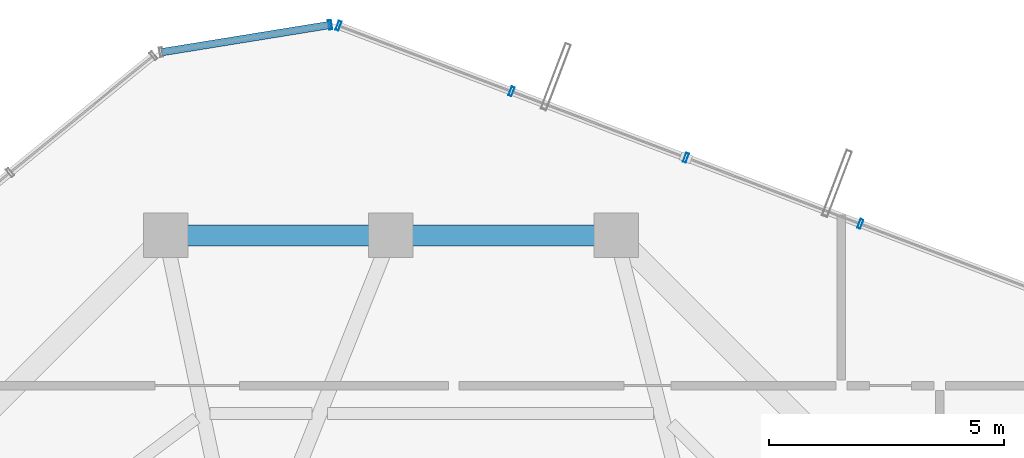
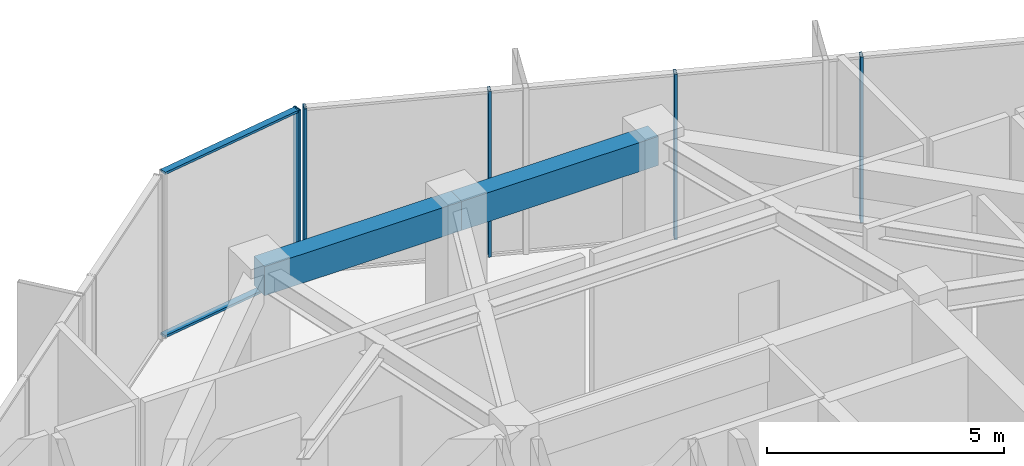
# One storey, part 15 of 22: 7 members, 2 beams, 2 elements without a shape of their own.
"""IFC4 building model written with IfcOpenShell, lengths in metres."""

from ifc_helpers import new_model, si_unit, direction, frame, origin, origin_2d, place, context, subcontext, project, spatial, rectangle, hollow_rectangle, extrude, source, transform, mapped, material, layer, layer_set, material_profile, profile_set, type_object, element, aggregate, save


model = new_model("IFC4")

# Units and contexts
model_context = context("Model", 3, precision=1e-05, world=origin(), true_north=direction((0.0, 1.0)))
body_context = subcontext(model_context, "Body", "Model", "MODEL_VIEW")
ifc_project = project(units=[si_unit("LENGTHUNIT", "METRE"), si_unit("AREAUNIT", "SQUARE_METRE"), si_unit("VOLUMEUNIT", "CUBIC_METRE"), si_unit("PLANEANGLEUNIT", "RADIAN"), si_unit("MASSUNIT", "GRAM", prefix="KILO")], contexts=[model_context])

# Site, building, storey
site_placement = place(None, origin())
site = spatial("IfcSite", under=ifc_project, at=site_placement, CompositionType="ELEMENT")
building_placement = place(site_placement, origin())
building = spatial("IfcBuilding", under=site, at=building_placement, Name="Veraguas Prism Commons", CompositionType="ELEMENT")
storey_placement = place(building_placement, frame((0.0, 0.0, 174.35009765625)))
storey = spatial("IfcBuildingStorey", under=building, at=storey_placement, Name="L49", CompositionType="ELEMENT", Elevation=174.35009765625)

# Beams
ifc_material_1 = material(Name="Concrete C50/60", Category="concrete")
ifc_material_profile_1 = material_profile(ifc_material_1, rectangle(XDim=0.449951171875, YDim=0.75, at=origin_2d()), Name="RC450X750")
ifc_profile_set_1 = profile_set([ifc_material_profile_1], Name="Concrete C50/60")
beam_type = type_object("IfcBeamType", Name="Perimeter Spandrel Upper RC 450x750", PredefinedType="SPANDREL", material=ifc_profile_set_1)
for number, where, z_axis, x_axis, name in (
    (1, (28.800048828125, 38.89990234375, 3.889892578125), (-1.0, 0.0, 0.0), (0.0, -1.0, 0.0), "Perimeter Spandrel Beam L49-SP04"),
    (2, (24.0, 38.89990234375, 3.889892578125), (-1.0, 0.0, 0.0), (0.0, -1.0, 0.0), "Perimeter Spandrel Beam L49-SP05"),
):
    element("IfcBeam", number, at=place(storey_placement, frame(where, z_axis=z_axis, x_axis=x_axis)), inside=storey, type_object=beam_type, Name=name, PredefinedType="SPANDREL", context=body_context, shape_type="SweptSolid", body=[
        extrude(rectangle(XDim=0.449951171875, YDim=0.75, at=origin_2d()), origin(), (0.0, 0.0, 1.0), 4.800048828125),
    ])

# Curtain wall, members
ifc_material_2 = material(Name="Anodised aluminium EN AW-6063 T6", Category="aluminium")
ifc_layer = layer(ifc_material_2, 0.199951171875, Name="Sky Lobby and Pool Acoustic Curtain Wall", Category="aluminium")
ifc_layer_set = layer_set([ifc_layer], Name="Anodised aluminium EN AW-6063 T6")
curtain_wall_type = type_object("IfcCurtainWallType", Name="Sky Lobby and Pool Acoustic Curtain Wall", PredefinedType="NOTDEFINED", material=ifc_layer_set)
curtain_wall_1_placement = place(storey_placement, origin())
curtain_wall_1 = element("IfcCurtainWall", 3, at=curtain_wall_1_placement, inside=storey, type_object=curtain_wall_type, Name="Tower Facade Curtain Wall L49-F1", PredefinedType="NOTDEFINED")
ifc_material_profile_2 = material_profile(ifc_material_2, hollow_rectangle(XDim=0.06494140625, YDim=0.199951171875, WallThickness=0.00390625, at=origin_2d()), Name="AL65X200X4")
ifc_profile_set_2 = profile_set([ifc_material_profile_2], Name="Anodised aluminium EN AW-6063 T6")
member_type_1 = type_object("IfcMemberType", Name="Curtain Wall Mullion Heavy AL 65x200x4", PredefinedType="MULLION", material=ifc_profile_set_2)
shared_shape_1 = source(origin(), body_context, "Body", "SweptSolid", [
    extrude(hollow_rectangle(XDim=0.06494140625, YDim=0.199951171875, WallThickness=0.00390625, at=origin_2d()), origin(), (0.0, 0.0, 1.0), 4.264892578125),
])
member_1_placement = place(storey_placement, frame((34.005615234375, 39.144287109375, 0.0), z_axis=(0.0, 0.0, 1.0), x_axis=(-0.934825056616, 0.355108593986, 0.0)))
member_1 = element("IfcMember", 4, at=member_1_placement, type_object=member_type_1, Name="CW-SKY Mullion 2", PredefinedType="MULLION", context=body_context, shape_type="MappedRepresentation", body=[
    mapped(shared_shape_1, transform((0.0, 0.0, 0.0), scale=1.0)),
])
member_2_placement = place(storey_placement, frame((30.2890625, 40.555908203125, 0.0), z_axis=(0.0, 0.0, 1.0), x_axis=(-0.934825056616, 0.355108593986, 0.0)))
member_2 = element("IfcMember", 5, at=member_2_placement, type_object=member_type_1, Name="CW-SKY Mullion 3", PredefinedType="MULLION", context=body_context, shape_type="MappedRepresentation", body=[
    mapped(shared_shape_1, transform((0.0, 0.0, 0.0), scale=1.0)),
])
member_3_placement = place(storey_placement, frame((26.572509765625, 41.9677734375, 0.0), z_axis=(0.0, 0.0, 1.0), x_axis=(-0.934825056616, 0.355108593986, 0.0)))
member_3 = element("IfcMember", 6, at=member_3_placement, type_object=member_type_1, Name="CW-SKY Mullion 4", PredefinedType="MULLION", context=body_context, shape_type="MappedRepresentation", body=[
    mapped(shared_shape_1, transform((0.0, 0.0, 0.0), scale=1.0)),
])
member_4_placement = place(storey_placement, frame((22.886474609375, 43.367919921875, 0.0), z_axis=(0.0, 0.0, 1.0), x_axis=(-0.934825056616, 0.355108593986, 0.0)))
member_4 = element("IfcMember", 7, at=member_4_placement, type_object=member_type_1, Name="CW-SKY Mullion 5", PredefinedType="MULLION", context=body_context, shape_type="MappedRepresentation", body=[
    mapped(shared_shape_1, transform((0.0, 0.0, 0.0), scale=1.0)),
])
aggregate(curtain_wall_1, [member_1, member_2, member_3, member_4])

curtain_wall_2_placement = place(storey_placement, origin())
curtain_wall_2 = element("IfcCurtainWall", 8, at=curtain_wall_2_placement, inside=storey, type_object=curtain_wall_type, Name="Chamfer Curtain Wall L49-C2", PredefinedType="NOTDEFINED")
member_5_placement = place(storey_placement, frame((22.70849609375, 43.385986328125, 0.0), z_axis=(0.0, 0.0, 1.0), x_axis=(-0.987138776359, -0.159865681772, 0.0)))
member_5 = element("IfcMember", 9, at=member_5_placement, type_object=member_type_1, Name="CW-SKY Mullion 1", PredefinedType="MULLION", context=body_context, shape_type="MappedRepresentation", body=[
    mapped(shared_shape_1, transform((0.0, 0.0, 0.0), scale=1.0)),
])
ifc_material_profile_3 = material_profile(ifc_material_2, hollow_rectangle(XDim=0.06005859375, YDim=0.159912109375, WallThickness=0.0029296875, at=origin_2d()), Name="AL60X160X3")
ifc_profile_set_3 = profile_set([ifc_material_profile_3], Name="Anodised aluminium EN AW-6063 T6")
member_type_2 = type_object("IfcMemberType", Name="Curtain Wall Transom Heavy AL 60x160x3", PredefinedType="USERDEFINED", material=ifc_profile_set_3)
shared_shape_2 = source(origin(), body_context, "Body", "SweptSolid", [
    extrude(hollow_rectangle(XDim=0.06005859375, YDim=0.159912109375, WallThickness=0.0029296875, at=origin_2d()), origin(), (0.0, 0.0, 1.0), 3.649169921875),
])
member_6_placement = place(storey_placement, frame((22.70849609375, 43.385986328125, 0.02978515625), z_axis=(-0.98713403213, -0.15989497369, 0.0), x_axis=(0.0, 0.0, 1.0)))
member_6 = element("IfcMember", 10, at=member_6_placement, type_object=member_type_2, Name="CW-SKY Transom 1", ObjectType="TRANSOM", PredefinedType="USERDEFINED", context=body_context, shape_type="MappedRepresentation", body=[
    mapped(shared_shape_2, transform((0.0, 0.0, 0.0), scale=1.0)),
])
member_7_placement = place(storey_placement, frame((22.70849609375, 43.385986328125, 4.23486328125), z_axis=(-0.98713403213, -0.15989497369, 0.0), x_axis=(0.0, 0.0, 1.0)))
member_7 = element("IfcMember", 11, at=member_7_placement, type_object=member_type_2, Name="CW-SKY Transom 2", ObjectType="TRANSOM", PredefinedType="USERDEFINED", context=body_context, shape_type="MappedRepresentation", body=[
    mapped(shared_shape_2, transform((0.0, 0.0, 0.0), scale=1.0)),
])
aggregate(curtain_wall_2, [member_5, member_6, member_7])

save(model, "model.ifc")
